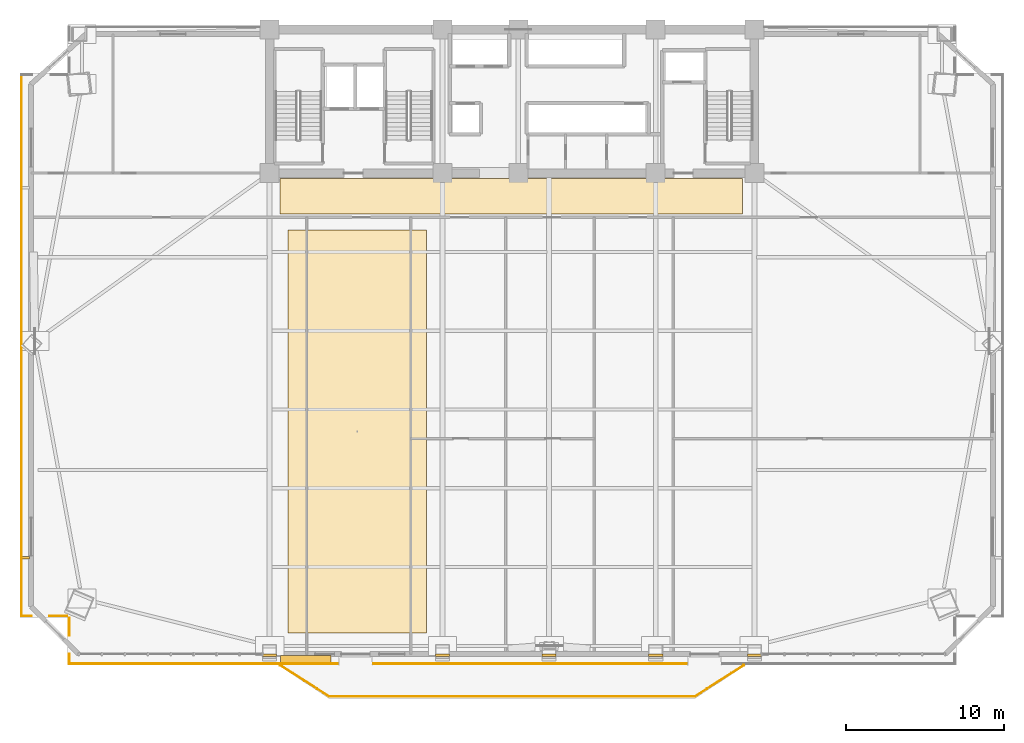
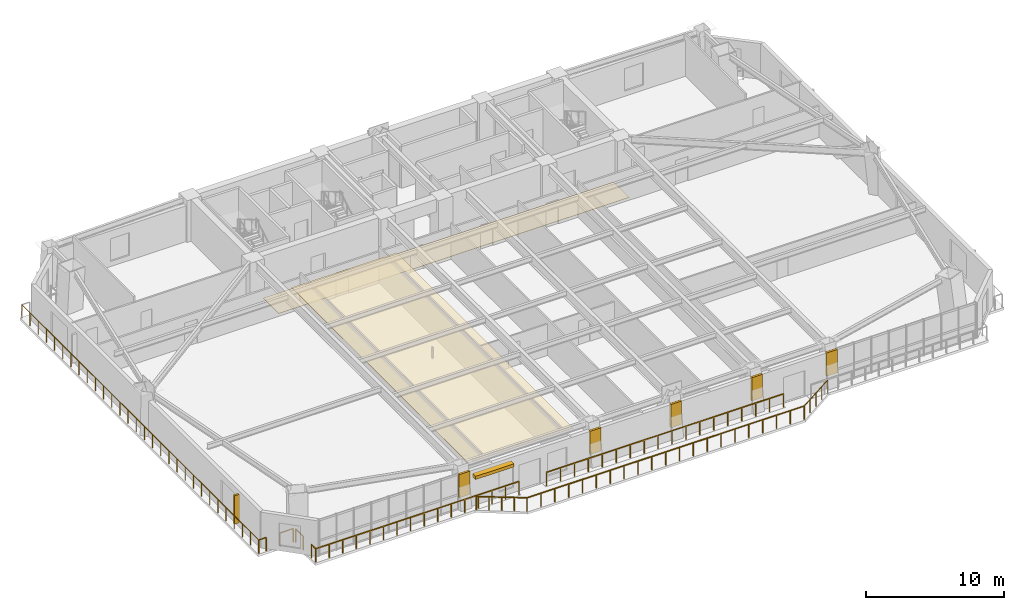
# One storey, part 12 of 15: 10 railings, 7 coverings, 2 shading devices.
"""IFC4 building model written with IfcOpenShell, lengths in metres."""

from ifc_helpers import new_model, si_unit, direction, frame, origin, origin_2d, place, context, subcontext, project, spatial, polyline, rectangle, outline, extrude, source, transform, mapped, material, layer, layer_set, type_object, element, save


model = new_model("IFC4")

# Units and contexts
model_context = context("Model", 3, precision=1e-05, world=origin(), true_north=direction((0.0, 1.0)))
body_context = subcontext(model_context, "Body", "Model", "MODEL_VIEW")
ifc_project = project(units=[si_unit("LENGTHUNIT", "METRE"), si_unit("AREAUNIT", "SQUARE_METRE"), si_unit("VOLUMEUNIT", "CUBIC_METRE"), si_unit("PLANEANGLEUNIT", "RADIAN"), si_unit("MASSUNIT", "GRAM", prefix="KILO")], contexts=[model_context])

# Site, building, storey
site_placement = place(None, origin())
site = spatial("IfcSite", under=ifc_project, at=site_placement, CompositionType="ELEMENT")
building_placement = place(site_placement, origin())
building = spatial("IfcBuilding", under=site, at=building_placement, Name="Giltprow Tower", CompositionType="ELEMENT")
storey_placement = place(building_placement, frame((0.0, 0.0, 119.199951171875)))
storey = spatial("IfcBuildingStorey", under=building, at=storey_placement, Name="L29", CompositionType="ELEMENT", Elevation=119.199951171875)

# Coverings
ifc_material_1 = material(Name="Acoustic mineral fibre", Category="gypsum")
ifc_layer_1 = layer(ifc_material_1, 0.030029296875, Name="Acoustic mineral fibre")
ifc_layer_set_1 = layer_set([ifc_layer_1], Name="Acoustic mineral fibre")
covering_type_1 = type_object("IfcCoveringType", Name="COV-CLG-ACOUSTIC", PredefinedType="CEILING", material=ifc_layer_set_1)
covering_1_placement = place(storey_placement, frame((0.0, 0.0, 2.719970703125)))
element("IfcCovering", 1, at=covering_1_placement, inside=storey, type_object=covering_type_1, Name="L29 Office Acoustic Ceiling", PredefinedType="CEILING", context=body_context, shape_type="SweptSolid", body=[
    extrude(outline(polyline([(21.0, 8.318115234375), (29.800048828125, 8.318115234375), (29.800048828125, 33.85009765625), (21.0, 33.85009765625), (21.0, 8.318115234375)])), origin(), (0.0, 0.0, 1.0), 0.030029296875),
])
ifc_material_2 = material(Name="Honed granite", Category="masonry")
ifc_layer_2 = layer(ifc_material_2, 0.030029296875, Name="Honed granite")
ifc_layer_set_2 = layer_set([ifc_layer_2], Name="Honed granite")
covering_type_2 = type_object("IfcCoveringType", Name="COV-FLR-STONE", PredefinedType="FLOORING", material=ifc_layer_set_2)
covering_2_placement = place(storey_placement, origin())
element("IfcCovering", 2, at=covering_2_placement, inside=storey, type_object=covering_type_2, Name="L29 Office Corridor Stone Flooring", PredefinedType="FLOORING", context=body_context, shape_type="SweptSolid", body=[
    extrude(outline(polyline([(20.5, 34.85009765625), (49.800048828125, 34.85009765625), (49.800048828125, 37.10009765625), (20.5, 37.10009765625), (20.5, 34.85009765625)])), origin(), (0.0, 0.0, 1.0), 0.030029296875),
])
ifc_material_3 = material(Name="Anodized bronze", Category="metal")
ifc_layer_3 = layer(ifc_material_3, 0.0400390625, Name="Anodized bronze")
ifc_layer_set_3 = layer_set([ifc_layer_3], Name="Anodized bronze")
covering_type_3 = type_object("IfcCoveringType", Name="COV-SOFFIT-BRONZE", PredefinedType="CLADDING", material=ifc_layer_set_3)
covering_3_placement = place(storey_placement, frame((0.0, 0.0, 1.10009765625)))
element("IfcCovering", 3, at=covering_3_placement, inside=storey, type_object=covering_type_3, Name="L29 Setback Pier Closure Cladding S-1", PredefinedType="CLADDING", context=body_context, shape_type="SweptSolid", body=[
    extrude(outline(polyline([(19.39990234375, 6.830078125), (20.300048828125, 6.830078125), (20.300048828125, 7.010009765625), (19.39990234375, 7.010009765625), (19.39990234375, 6.830078125)])), origin(), (0.0, 0.0, 1.0), 2.06005859375),
])
covering_4_placement = place(storey_placement, frame((0.0, 0.0, 1.10009765625)))
element("IfcCovering", 4, at=covering_4_placement, inside=storey, type_object=covering_type_3, Name="L29 Setback Pier Closure Cladding S-2", PredefinedType="CLADDING", context=body_context, shape_type="SweptSolid", body=[
    extrude(outline(polyline([(30.35009765625, 6.830078125), (31.25, 6.830078125), (31.25, 7.010009765625), (30.35009765625, 7.010009765625), (30.35009765625, 6.830078125)])), origin(), (0.0, 0.0, 1.0), 2.06005859375),
])
covering_5_placement = place(storey_placement, frame((0.0, 0.0, 1.10009765625)))
element("IfcCovering", 5, at=covering_5_placement, inside=storey, type_object=covering_type_3, Name="L29 Setback Pier Closure Cladding S-3", PredefinedType="CLADDING", context=body_context, shape_type="SweptSolid", body=[
    extrude(outline(polyline([(37.10009765625, 6.830078125), (38.0, 6.830078125), (38.0, 7.010009765625), (37.10009765625, 7.010009765625), (37.10009765625, 6.830078125)])), origin(), (0.0, 0.0, 1.0), 2.06005859375),
])
covering_6_placement = place(storey_placement, frame((0.0, 0.0, 1.10009765625)))
element("IfcCovering", 6, at=covering_6_placement, inside=storey, type_object=covering_type_3, Name="L29 Setback Pier Closure Cladding S-4", PredefinedType="CLADDING", context=body_context, shape_type="SweptSolid", body=[
    extrude(outline(polyline([(43.85009765625, 6.830078125), (44.75, 6.830078125), (44.75, 7.010009765625), (43.85009765625, 7.010009765625), (43.85009765625, 6.830078125)])), origin(), (0.0, 0.0, 1.0), 2.06005859375),
])
covering_7_placement = place(storey_placement, frame((0.0, 0.0, 1.10009765625)))
element("IfcCovering", 7, at=covering_7_placement, inside=storey, type_object=covering_type_3, Name="L29 Setback Pier Closure Cladding S-5", PredefinedType="CLADDING", context=body_context, shape_type="SweptSolid", body=[
    extrude(outline(polyline([(50.10009765625, 6.830078125), (51.0, 6.830078125), (51.0, 7.010009765625), (50.10009765625, 7.010009765625), (50.10009765625, 6.830078125)])), origin(), (0.0, 0.0, 1.0), 2.06005859375),
])

# Railings
railing_type = type_object("IfcRailingType", Name="RAIL-BALC-GUARD-1200", PredefinedType="BALUSTRADE", material=ifc_material_3)
railing_1_placement = place(storey_placement, frame((20.52001953125, 6.2900390625, 0.0)))
element("IfcRailing", 8, at=railing_1_placement, inside=storey, type_object=railing_type, Name="L29 Waterfront Balcony Balustrade Seg 1", PredefinedType="BALUSTRADE", context=body_context, shape_type="SweptSolid", body=[
    extrude(rectangle(XDim=0.048095703125, YDim=0.048095703125, at=origin_2d()), frame((0.0, 0.0, 1.17578125), z_axis=(0.84277487735, -0.538266203757, 0.0), x_axis=(0.538266203757, 0.84277487735, 0.0)), (0.0, 0.0, 1.0), 3.678466796875),
    extrude(rectangle(XDim=0.0419921875, YDim=0.0419921875, at=origin_2d()), origin(), (0.0, 0.0, 1.0), 1.15185546875),
    extrude(rectangle(XDim=0.0419921875, YDim=0.0419921875, at=origin_2d()), frame((0.77490234375, -0.4951171875, 0.0)), (0.0, 0.0, 1.0), 1.15185546875),
    extrude(rectangle(XDim=0.0419921875, YDim=0.0419921875, at=origin_2d()), frame((1.550048828125, -0.989990234375, 0.0)), (0.0, 0.0, 1.0), 1.15185546875),
    extrude(rectangle(XDim=0.0419921875, YDim=0.0419921875, at=origin_2d()), frame((2.3251953125, -1.48486328125, 0.0)), (0.0, 0.0, 1.0), 1.15185546875),
    extrude(rectangle(XDim=0.0419921875, YDim=0.0419921875, at=origin_2d()), frame((3.10009765625, -1.97998046875, 0.0)), (0.0, 0.0, 1.0), 1.15185546875),
])
railing_2_placement = place(storey_placement, frame((23.6201171875, 4.31005859375, 0.0)))
element("IfcRailing", 9, at=railing_2_placement, inside=storey, type_object=railing_type, Name="L29 Waterfront Balcony Balustrade Seg 2", PredefinedType="BALUSTRADE", context=body_context, shape_type="SweptSolid", body=[
    extrude(rectangle(XDim=0.048095703125, YDim=0.048095703125, at=origin_2d()), frame((0.0, 0.0, 1.17578125), z_axis=(1.0, 0.0, 0.0), x_axis=(0.0, 1.0, 0.0)), (0.0, 0.0, 1.0), 23.159912109375),
    extrude(rectangle(XDim=0.0419921875, YDim=0.0419921875, at=origin_2d()), origin(), (0.0, 0.0, 1.0), 1.15185546875),
    extrude(rectangle(XDim=0.0419921875, YDim=0.0419921875, at=origin_2d()), frame((1.157958984375, 0.0, 0.0)), (0.0, 0.0, 1.0), 1.15185546875),
    extrude(rectangle(XDim=0.0419921875, YDim=0.0419921875, at=origin_2d()), frame((2.31591796875, 0.0, 0.0)), (0.0, 0.0, 1.0), 1.15185546875),
    extrude(rectangle(XDim=0.0419921875, YDim=0.0419921875, at=origin_2d()), frame((3.473876953125, 0.0, 0.0)), (0.0, 0.0, 1.0), 1.15185546875),
    extrude(rectangle(XDim=0.0419921875, YDim=0.0419921875, at=origin_2d()), frame((4.632080078125, 0.0, 0.0)), (0.0, 0.0, 1.0), 1.15185546875),
    extrude(rectangle(XDim=0.0419921875, YDim=0.0419921875, at=origin_2d()), frame((5.7900390625, 0.0, 0.0)), (0.0, 0.0, 1.0), 1.15185546875),
    extrude(rectangle(XDim=0.0419921875, YDim=0.0419921875, at=origin_2d()), frame((6.947998046875, 0.0, 0.0)), (0.0, 0.0, 1.0), 1.15185546875),
    extrude(rectangle(XDim=0.0419921875, YDim=0.0419921875, at=origin_2d()), frame((8.10595703125, 0.0, 0.0)), (0.0, 0.0, 1.0), 1.15185546875),
    extrude(rectangle(XDim=0.0419921875, YDim=0.0419921875, at=origin_2d()), frame((9.263916015625, 0.0, 0.0)), (0.0, 0.0, 1.0), 1.15185546875),
    extrude(rectangle(XDim=0.0419921875, YDim=0.0419921875, at=origin_2d()), frame((10.421875, 0.0, 0.0)), (0.0, 0.0, 1.0), 1.15185546875),
    extrude(rectangle(XDim=0.0419921875, YDim=0.0419921875, at=origin_2d()), frame((11.580078125, 0.0, 0.0)), (0.0, 0.0, 1.0), 1.15185546875),
    extrude(rectangle(XDim=0.0419921875, YDim=0.0419921875, at=origin_2d()), frame((12.738037109375, 0.0, 0.0)), (0.0, 0.0, 1.0), 1.15185546875),
    extrude(rectangle(XDim=0.0419921875, YDim=0.0419921875, at=origin_2d()), frame((13.89599609375, 0.0, 0.0)), (0.0, 0.0, 1.0), 1.15185546875),
    extrude(rectangle(XDim=0.0419921875, YDim=0.0419921875, at=origin_2d()), frame((15.053955078125, 0.0, 0.0)), (0.0, 0.0, 1.0), 1.15185546875),
    extrude(rectangle(XDim=0.0419921875, YDim=0.0419921875, at=origin_2d()), frame((16.2119140625, 0.0, 0.0)), (0.0, 0.0, 1.0), 1.15185546875),
    extrude(rectangle(XDim=0.0419921875, YDim=0.0419921875, at=origin_2d()), frame((17.369873046875, 0.0, 0.0)), (0.0, 0.0, 1.0), 1.15185546875),
    extrude(rectangle(XDim=0.0419921875, YDim=0.0419921875, at=origin_2d()), frame((18.52783203125, 0.0, 0.0)), (0.0, 0.0, 1.0), 1.15185546875),
    extrude(rectangle(XDim=0.0419921875, YDim=0.0419921875, at=origin_2d()), frame((19.68603515625, 0.0, 0.0)), (0.0, 0.0, 1.0), 1.15185546875),
    extrude(rectangle(XDim=0.0419921875, YDim=0.0419921875, at=origin_2d()), frame((20.843994140625, 0.0, 0.0)), (0.0, 0.0, 1.0), 1.15185546875),
    extrude(rectangle(XDim=0.0419921875, YDim=0.0419921875, at=origin_2d()), frame((22.001953125, 0.0, 0.0)), (0.0, 0.0, 1.0), 1.15185546875),
    extrude(rectangle(XDim=0.0419921875, YDim=0.0419921875, at=origin_2d()), frame((23.159912109375, 0.0, 0.0)), (0.0, 0.0, 1.0), 1.15185546875),
])
railing_3_placement = place(storey_placement, frame((46.780029296875, 4.31005859375, 0.0)))
element("IfcRailing", 10, at=railing_3_placement, inside=storey, type_object=railing_type, Name="L29 Waterfront Balcony Balustrade Seg 3", PredefinedType="BALUSTRADE", context=body_context, shape_type="SweptSolid", body=[
    extrude(rectangle(XDim=0.048095703125, YDim=0.048095703125, at=origin_2d()), frame((0.0, 0.0, 1.17578125), z_axis=(0.842755646126, 0.538296313309, 0.0), x_axis=(-0.538296313309, 0.842755646126, 0.0)), (0.0, 0.0, 1.0), 3.67822265625),
    extrude(rectangle(XDim=0.0419921875, YDim=0.0419921875, at=origin_2d()), origin(), (0.0, 0.0, 1.0), 1.15185546875),
    extrude(rectangle(XDim=0.0419921875, YDim=0.0419921875, at=origin_2d()), frame((0.77490234375, 0.4951171875, 0.0)), (0.0, 0.0, 1.0), 1.15185546875),
    extrude(rectangle(XDim=0.0419921875, YDim=0.0419921875, at=origin_2d()), frame((1.5498046875, 0.989990234375, 0.0)), (0.0, 0.0, 1.0), 1.15185546875),
    extrude(rectangle(XDim=0.0419921875, YDim=0.0419921875, at=origin_2d()), frame((2.324951171875, 1.48486328125, 0.0)), (0.0, 0.0, 1.0), 1.15185546875),
    extrude(rectangle(XDim=0.0419921875, YDim=0.0419921875, at=origin_2d()), frame((3.099853515625, 1.97998046875, 0.0)), (0.0, 0.0, 1.0), 1.15185546875),
])
railing_4_placement = place(storey_placement, frame((7.160888671875, 6.389892578125, 0.0)))
element("IfcRailing", 11, at=railing_4_placement, inside=storey, type_object=railing_type, Name="L29 Corner Apron Edge Balustrade 1", PredefinedType="BALUSTRADE", context=body_context, shape_type="SweptSolid", body=[
    extrude(rectangle(XDim=0.048095703125, YDim=0.048095703125, at=origin_2d()), frame((0.0, 0.0, 1.17578125), z_axis=(0.0, 1.0, 0.0), x_axis=(-1.0, 0.0, 0.0)), (0.0, 0.0, 1.0), 0.6201171875),
    extrude(rectangle(XDim=0.0419921875, YDim=0.0419921875, at=origin_2d()), origin(), (0.0, 0.0, 1.0), 1.15185546875),
    extrude(rectangle(XDim=0.0419921875, YDim=0.0419921875, at=origin_2d()), frame((0.0, 0.6201171875, 0.0)), (0.0, 0.0, 1.0), 1.15185546875),
])
railing_5_placement = place(storey_placement, frame((7.160888671875, 8.169921875, 0.0)))
element("IfcRailing", 12, at=railing_5_placement, inside=storey, type_object=railing_type, Name="L29 Corner Apron Edge Balustrade 2", PredefinedType="BALUSTRADE", context=body_context, shape_type="SweptSolid", body=[
    extrude(rectangle(XDim=0.048095703125, YDim=0.048095703125, at=origin_2d()), frame((0.0, 0.0, 1.17578125), z_axis=(0.0, 1.0, 0.0), x_axis=(-1.0, 0.0, 0.0)), (0.0, 0.0, 1.0), 1.10205078125),
    extrude(rectangle(XDim=0.0419921875, YDim=0.0419921875, at=origin_2d()), origin(), (0.0, 0.0, 1.0), 1.15185546875),
    extrude(rectangle(XDim=0.0419921875, YDim=0.0419921875, at=origin_2d()), frame((0.0, 1.10205078125, 0.0)), (0.0, 0.0, 1.0), 1.15185546875),
])
railing_6_placement = place(storey_placement, frame((7.02587890625, 9.406982421875, 0.0)))
element("IfcRailing", 13, at=railing_6_placement, inside=storey, type_object=railing_type, Name="L29 Corner Apron Edge Balustrade 3", PredefinedType="BALUSTRADE", context=body_context, shape_type="SweptSolid", body=[
    extrude(rectangle(XDim=0.048095703125, YDim=0.048095703125, at=origin_2d()), frame((0.0, 0.0, 1.17578125), z_axis=(-1.0, 0.0, 0.0), x_axis=(0.0, -1.0, 0.0)), (0.0, 0.0, 1.0), 1.101806640625),
    extrude(rectangle(XDim=0.0419921875, YDim=0.0419921875, at=origin_2d()), origin(), (0.0, 0.0, 1.0), 1.15185546875),
    extrude(rectangle(XDim=0.0419921875, YDim=0.0419921875, at=origin_2d()), frame((-1.101806640625, 0.0, 0.0)), (0.0, 0.0, 1.0), 1.15185546875),
])
railing_7_placement = place(storey_placement, frame((4.763916015625, 9.406982421875, 0.0)))
element("IfcRailing", 14, at=railing_7_placement, inside=storey, type_object=railing_type, Name="L29 Corner Apron Edge Balustrade 4", PredefinedType="BALUSTRADE", context=body_context, shape_type="SweptSolid", body=[
    extrude(rectangle(XDim=0.048095703125, YDim=0.048095703125, at=origin_2d()), frame((0.0, 0.0, 1.17578125), z_axis=(-1.0, 0.0, 0.0), x_axis=(0.0, -1.0, 0.0)), (0.0, 0.0, 1.0), 0.619873046875),
    extrude(rectangle(XDim=0.0419921875, YDim=0.0419921875, at=origin_2d()), origin(), (0.0, 0.0, 1.0), 1.15185546875),
    extrude(rectangle(XDim=0.0419921875, YDim=0.0419921875, at=origin_2d()), frame((-0.619873046875, 0.0, 0.0)), (0.0, 0.0, 1.0), 1.15185546875),
])
railing_8_placement = place(storey_placement, frame((4.14404296875, 9.406982421875, 0.0)))
element("IfcRailing", 15, at=railing_8_placement, inside=storey, type_object=railing_type, Name="L29 Corner Apron Edge Balustrade 5", PredefinedType="BALUSTRADE", context=body_context, shape_type="SweptSolid", body=[
    extrude(rectangle(XDim=0.048095703125, YDim=0.048095703125, at=origin_2d()), frame((0.0, 0.0, 1.17578125), z_axis=(0.0, 1.0, 0.0), x_axis=(-1.0, 0.0, 0.0)), (0.0, 0.0, 1.0), 34.276123046875),
    extrude(rectangle(XDim=0.0419921875, YDim=0.0419921875, at=origin_2d()), origin(), (0.0, 0.0, 1.0), 1.15185546875),
    extrude(rectangle(XDim=0.0419921875, YDim=0.0419921875, at=origin_2d()), frame((0.0, 1.181884765625, 0.0)), (0.0, 0.0, 1.0), 1.15185546875),
    extrude(rectangle(XDim=0.0419921875, YDim=0.0419921875, at=origin_2d()), frame((0.0, 2.36376953125, 0.0)), (0.0, 0.0, 1.0), 1.15185546875),
    extrude(rectangle(XDim=0.0419921875, YDim=0.0419921875, at=origin_2d()), frame((0.0, 3.5458984375, 0.0)), (0.0, 0.0, 1.0), 1.15185546875),
    extrude(rectangle(XDim=0.0419921875, YDim=0.0419921875, at=origin_2d()), frame((0.0, 4.727783203125, 0.0)), (0.0, 0.0, 1.0), 1.15185546875),
    extrude(rectangle(XDim=0.0419921875, YDim=0.0419921875, at=origin_2d()), frame((0.0, 5.90966796875, 0.0)), (0.0, 0.0, 1.0), 1.15185546875),
    extrude(rectangle(XDim=0.0419921875, YDim=0.0419921875, at=origin_2d()), frame((0.0, 7.091552734375, 0.0)), (0.0, 0.0, 1.0), 1.15185546875),
    extrude(rectangle(XDim=0.0419921875, YDim=0.0419921875, at=origin_2d()), frame((0.0, 8.2734375, 0.0)), (0.0, 0.0, 1.0), 1.15185546875),
    extrude(rectangle(XDim=0.0419921875, YDim=0.0419921875, at=origin_2d()), frame((0.0, 9.45556640625, 0.0)), (0.0, 0.0, 1.0), 1.15185546875),
    extrude(rectangle(XDim=0.0419921875, YDim=0.0419921875, at=origin_2d()), frame((0.0, 10.637451171875, 0.0)), (0.0, 0.0, 1.0), 1.15185546875),
    extrude(rectangle(XDim=0.0419921875, YDim=0.0419921875, at=origin_2d()), frame((0.0, 11.8193359375, 0.0)), (0.0, 0.0, 1.0), 1.15185546875),
    extrude(rectangle(XDim=0.0419921875, YDim=0.0419921875, at=origin_2d()), frame((0.0, 13.001220703125, 0.0)), (0.0, 0.0, 1.0), 1.15185546875),
    extrude(rectangle(XDim=0.0419921875, YDim=0.0419921875, at=origin_2d()), frame((0.0, 14.18310546875, 0.0)), (0.0, 0.0, 1.0), 1.15185546875),
    extrude(rectangle(XDim=0.0419921875, YDim=0.0419921875, at=origin_2d()), frame((0.0, 15.365234375, 0.0)), (0.0, 0.0, 1.0), 1.15185546875),
    extrude(rectangle(XDim=0.0419921875, YDim=0.0419921875, at=origin_2d()), frame((0.0, 16.547119140625, 0.0)), (0.0, 0.0, 1.0), 1.15185546875),
    extrude(rectangle(XDim=0.0419921875, YDim=0.0419921875, at=origin_2d()), frame((0.0, 17.72900390625, 0.0)), (0.0, 0.0, 1.0), 1.15185546875),
    extrude(rectangle(XDim=0.0419921875, YDim=0.0419921875, at=origin_2d()), frame((0.0, 18.910888671875, 0.0)), (0.0, 0.0, 1.0), 1.15185546875),
    extrude(rectangle(XDim=0.0419921875, YDim=0.0419921875, at=origin_2d()), frame((0.0, 20.093017578125, 0.0)), (0.0, 0.0, 1.0), 1.15185546875),
    extrude(rectangle(XDim=0.0419921875, YDim=0.0419921875, at=origin_2d()), frame((0.0, 21.27490234375, 0.0)), (0.0, 0.0, 1.0), 1.15185546875),
    extrude(rectangle(XDim=0.0419921875, YDim=0.0419921875, at=origin_2d()), frame((0.0, 22.456787109375, 0.0)), (0.0, 0.0, 1.0), 1.15185546875),
    extrude(rectangle(XDim=0.0419921875, YDim=0.0419921875, at=origin_2d()), frame((0.0, 23.638671875, 0.0)), (0.0, 0.0, 1.0), 1.15185546875),
    extrude(rectangle(XDim=0.0419921875, YDim=0.0419921875, at=origin_2d()), frame((0.0, 24.820556640625, 0.0)), (0.0, 0.0, 1.0), 1.15185546875),
    extrude(rectangle(XDim=0.0419921875, YDim=0.0419921875, at=origin_2d()), frame((0.0, 26.002685546875, 0.0)), (0.0, 0.0, 1.0), 1.15185546875),
    extrude(rectangle(XDim=0.0419921875, YDim=0.0419921875, at=origin_2d()), frame((0.0, 27.1845703125, 0.0)), (0.0, 0.0, 1.0), 1.15185546875),
    extrude(rectangle(XDim=0.0419921875, YDim=0.0419921875, at=origin_2d()), frame((0.0, 28.366455078125, 0.0)), (0.0, 0.0, 1.0), 1.15185546875),
    extrude(rectangle(XDim=0.0419921875, YDim=0.0419921875, at=origin_2d()), frame((0.0, 29.54833984375, 0.0)), (0.0, 0.0, 1.0), 1.15185546875),
    extrude(rectangle(XDim=0.0419921875, YDim=0.0419921875, at=origin_2d()), frame((0.0, 30.730224609375, 0.0)), (0.0, 0.0, 1.0), 1.15185546875),
    extrude(rectangle(XDim=0.0419921875, YDim=0.0419921875, at=origin_2d()), frame((0.0, 31.912353515625, 0.0)), (0.0, 0.0, 1.0), 1.15185546875),
    extrude(rectangle(XDim=0.0419921875, YDim=0.0419921875, at=origin_2d()), frame((0.0, 33.09423828125, 0.0)), (0.0, 0.0, 1.0), 1.15185546875),
    extrude(rectangle(XDim=0.0419921875, YDim=0.0419921875, at=origin_2d()), frame((0.0, 34.276123046875, 0.0)), (0.0, 0.0, 1.0), 1.15185546875),
])
railing_9_placement = place(storey_placement, frame((46.25, 6.389892578125, 0.0)))
element("IfcRailing", 16, at=railing_9_placement, inside=storey, type_object=railing_type, Name="L29 Corner Apron Edge Balustrade 22", PredefinedType="BALUSTRADE", context=body_context, shape_type="SweptSolid", body=[
    extrude(rectangle(XDim=0.048095703125, YDim=0.048095703125, at=origin_2d()), frame((0.0, 0.0, 1.17578125), z_axis=(-1.0, 0.0, 0.0), x_axis=(0.0, -1.0, 0.0)), (0.0, 0.0, 1.0), 19.800048828125),
    extrude(rectangle(XDim=0.0419921875, YDim=0.0419921875, at=origin_2d()), origin(), (0.0, 0.0, 1.0), 1.15185546875),
    extrude(rectangle(XDim=0.0419921875, YDim=0.0419921875, at=origin_2d()), frame((-1.164794921875, 0.0, 0.0)), (0.0, 0.0, 1.0), 1.15185546875),
    extrude(rectangle(XDim=0.0419921875, YDim=0.0419921875, at=origin_2d()), frame((-2.329345703125, 0.0, 0.0)), (0.0, 0.0, 1.0), 1.15185546875),
    extrude(rectangle(XDim=0.0419921875, YDim=0.0419921875, at=origin_2d()), frame((-3.494140625, 0.0, 0.0)), (0.0, 0.0, 1.0), 1.15185546875),
    extrude(rectangle(XDim=0.0419921875, YDim=0.0419921875, at=origin_2d()), frame((-4.658935546875, 0.0, 0.0)), (0.0, 0.0, 1.0), 1.15185546875),
    extrude(rectangle(XDim=0.0419921875, YDim=0.0419921875, at=origin_2d()), frame((-5.823486328125, 0.0, 0.0)), (0.0, 0.0, 1.0), 1.15185546875),
    extrude(rectangle(XDim=0.0419921875, YDim=0.0419921875, at=origin_2d()), frame((-6.98828125, 0.0, 0.0)), (0.0, 0.0, 1.0), 1.15185546875),
    extrude(rectangle(XDim=0.0419921875, YDim=0.0419921875, at=origin_2d()), frame((-8.153076171875, 0.0, 0.0)), (0.0, 0.0, 1.0), 1.15185546875),
    extrude(rectangle(XDim=0.0419921875, YDim=0.0419921875, at=origin_2d()), frame((-9.317626953125, 0.0, 0.0)), (0.0, 0.0, 1.0), 1.15185546875),
    extrude(rectangle(XDim=0.0419921875, YDim=0.0419921875, at=origin_2d()), frame((-10.482421875, 0.0, 0.0)), (0.0, 0.0, 1.0), 1.15185546875),
    extrude(rectangle(XDim=0.0419921875, YDim=0.0419921875, at=origin_2d()), frame((-11.64697265625, 0.0, 0.0)), (0.0, 0.0, 1.0), 1.15185546875),
    extrude(rectangle(XDim=0.0419921875, YDim=0.0419921875, at=origin_2d()), frame((-12.811767578125, 0.0, 0.0)), (0.0, 0.0, 1.0), 1.15185546875),
    extrude(rectangle(XDim=0.0419921875, YDim=0.0419921875, at=origin_2d()), frame((-13.9765625, 0.0, 0.0)), (0.0, 0.0, 1.0), 1.15185546875),
    extrude(rectangle(XDim=0.0419921875, YDim=0.0419921875, at=origin_2d()), frame((-15.14111328125, 0.0, 0.0)), (0.0, 0.0, 1.0), 1.15185546875),
    extrude(rectangle(XDim=0.0419921875, YDim=0.0419921875, at=origin_2d()), frame((-16.305908203125, 0.0, 0.0)), (0.0, 0.0, 1.0), 1.15185546875),
    extrude(rectangle(XDim=0.0419921875, YDim=0.0419921875, at=origin_2d()), frame((-17.470703125, 0.0, 0.0)), (0.0, 0.0, 1.0), 1.15185546875),
    extrude(rectangle(XDim=0.0419921875, YDim=0.0419921875, at=origin_2d()), frame((-18.63525390625, 0.0, 0.0)), (0.0, 0.0, 1.0), 1.15185546875),
    extrude(rectangle(XDim=0.0419921875, YDim=0.0419921875, at=origin_2d()), frame((-19.800048828125, 0.0, 0.0)), (0.0, 0.0, 1.0), 1.15185546875),
])
railing_10_placement = place(storey_placement, frame((24.14990234375, 6.389892578125, 0.0)))
element("IfcRailing", 17, at=railing_10_placement, inside=storey, type_object=railing_type, Name="L29 Corner Apron Edge Balustrade 23", PredefinedType="BALUSTRADE", context=body_context, shape_type="SweptSolid", body=[
    extrude(rectangle(XDim=0.048095703125, YDim=0.048095703125, at=origin_2d()), frame((0.0, 0.0, 1.17578125), z_axis=(-1.0, 0.0, 0.0), x_axis=(0.0, -1.0, 0.0)), (0.0, 0.0, 1.0), 16.989013671875),
    extrude(rectangle(XDim=0.0419921875, YDim=0.0419921875, at=origin_2d()), origin(), (0.0, 0.0, 1.0), 1.15185546875),
    extrude(rectangle(XDim=0.0419921875, YDim=0.0419921875, at=origin_2d()), frame((-1.132568359375, 0.0, 0.0)), (0.0, 0.0, 1.0), 1.15185546875),
    extrude(rectangle(XDim=0.0419921875, YDim=0.0419921875, at=origin_2d()), frame((-2.26513671875, 0.0, 0.0)), (0.0, 0.0, 1.0), 1.15185546875),
    extrude(rectangle(XDim=0.0419921875, YDim=0.0419921875, at=origin_2d()), frame((-3.397705078125, 0.0, 0.0)), (0.0, 0.0, 1.0), 1.15185546875),
    extrude(rectangle(XDim=0.0419921875, YDim=0.0419921875, at=origin_2d()), frame((-4.530517578125, 0.0, 0.0)), (0.0, 0.0, 1.0), 1.15185546875),
    extrude(rectangle(XDim=0.0419921875, YDim=0.0419921875, at=origin_2d()), frame((-5.6630859375, 0.0, 0.0)), (0.0, 0.0, 1.0), 1.15185546875),
    extrude(rectangle(XDim=0.0419921875, YDim=0.0419921875, at=origin_2d()), frame((-6.795654296875, 0.0, 0.0)), (0.0, 0.0, 1.0), 1.15185546875),
    extrude(rectangle(XDim=0.0419921875, YDim=0.0419921875, at=origin_2d()), frame((-7.92822265625, 0.0, 0.0)), (0.0, 0.0, 1.0), 1.15185546875),
    extrude(rectangle(XDim=0.0419921875, YDim=0.0419921875, at=origin_2d()), frame((-9.060791015625, 0.0, 0.0)), (0.0, 0.0, 1.0), 1.15185546875),
    extrude(rectangle(XDim=0.0419921875, YDim=0.0419921875, at=origin_2d()), frame((-10.193359375, 0.0, 0.0)), (0.0, 0.0, 1.0), 1.15185546875),
    extrude(rectangle(XDim=0.0419921875, YDim=0.0419921875, at=origin_2d()), frame((-11.325927734375, 0.0, 0.0)), (0.0, 0.0, 1.0), 1.15185546875),
    extrude(rectangle(XDim=0.0419921875, YDim=0.0419921875, at=origin_2d()), frame((-12.45849609375, 0.0, 0.0)), (0.0, 0.0, 1.0), 1.15185546875),
    extrude(rectangle(XDim=0.0419921875, YDim=0.0419921875, at=origin_2d()), frame((-13.59130859375, 0.0, 0.0)), (0.0, 0.0, 1.0), 1.15185546875),
    extrude(rectangle(XDim=0.0419921875, YDim=0.0419921875, at=origin_2d()), frame((-14.723876953125, 0.0, 0.0)), (0.0, 0.0, 1.0), 1.15185546875),
    extrude(rectangle(XDim=0.0419921875, YDim=0.0419921875, at=origin_2d()), frame((-15.8564453125, 0.0, 0.0)), (0.0, 0.0, 1.0), 1.15185546875),
    extrude(rectangle(XDim=0.0419921875, YDim=0.0419921875, at=origin_2d()), frame((-16.989013671875, 0.0, 0.0)), (0.0, 0.0, 1.0), 1.15185546875),
])

# Shading devices
shading_device_type_1 = type_object("IfcShadingDeviceType", Name="SHD-FIN-420", PredefinedType="USERDEFINED", material=ifc_material_3)
shared_shape_1 = source(origin(), body_context, "Body", "SweptSolid", [
    extrude(rectangle(XDim=0.419921875, YDim=0.159912109375, at=origin_2d()), origin(), (0.0, 0.0, 1.0), 2.5),
])
shading_device_1_placement = place(storey_placement, frame((4.424072265625, 13.110107421875, 0.35009765625), z_axis=(0.0, 0.0, 1.0), x_axis=(1.0, 0.0, 0.0)))
element("IfcShadingDevice", 18, at=shading_device_1_placement, inside=storey, type_object=shading_device_type_1, Name="L29 W Bronze Vertical Fin 1-1", ObjectType="FIN", PredefinedType="USERDEFINED", context=body_context, shape_type="MappedRepresentation", body=[
    mapped(shared_shape_1, transform((0.0, 0.0, 0.0), x_axis=(1.0, 0.0, 0.0), y_axis=(0.0, 1.0, 0.0), z_axis=(0.0, 0.0, 1.0), scale=1.0)),
])
shading_device_type_2 = type_object("IfcShadingDeviceType", Name="SHD-LOUVRE-320", PredefinedType="JALOUSIE", material=ifc_material_3)
shared_shape_2 = source(origin(), body_context, "Body", "SweptSolid", [
    extrude(rectangle(XDim=3.199951171875, YDim=0.449951171875, at=origin_2d()), origin(), (0.0, 0.0, 1.0), 0.280029296875),
])
shading_device_2_placement = place(storey_placement, frame((22.14990234375, 6.669921875, 2.56005859375), z_axis=(0.0, 0.0, 1.0), x_axis=(1.0, 0.0, 0.0)))
element("IfcShadingDevice", 19, at=shading_device_2_placement, inside=storey, type_object=shading_device_type_2, Name="L29 Bronze Sunshade Louvre S-2", PredefinedType="JALOUSIE", context=body_context, shape_type="MappedRepresentation", body=[
    mapped(shared_shape_2, transform((0.0, 0.0, 0.0), x_axis=(1.0, 0.0, 0.0), y_axis=(0.0, 1.0, 0.0), z_axis=(0.0, 0.0, 1.0), scale=1.0)),
])

save(model, "model.ifc")
